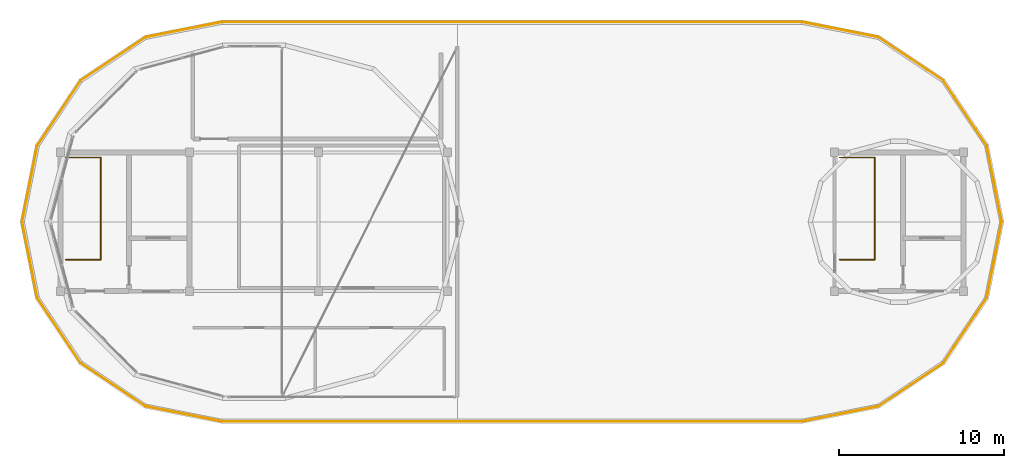
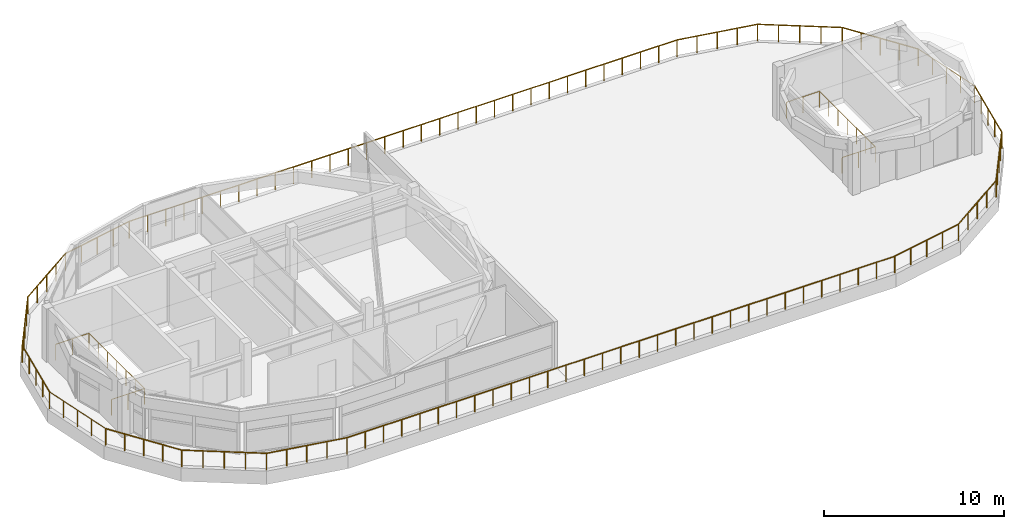
# One storey, part 15 of 15: 20 railings.
"""IFC4 building model written with IfcOpenShell, lengths in metres."""

from ifc_helpers import new_model, si_unit, direction, frame, origin, origin_2d, place, context, subcontext, project, spatial, hollow_rectangle, circle, hollow_circle, extrude, material, material_profile, profile_set, type_object, element, save


model = new_model("IFC4")

# Units and contexts
model_context = context("Model", 3, precision=1e-05, world=origin(), true_north=direction((0.0, 1.0)))
body_context = subcontext(model_context, "Body", "Model", "MODEL_VIEW")
ifc_project = project(units=[si_unit("LENGTHUNIT", "METRE"), si_unit("AREAUNIT", "SQUARE_METRE"), si_unit("VOLUMEUNIT", "CUBIC_METRE"), si_unit("PLANEANGLEUNIT", "RADIAN"), si_unit("MASSUNIT", "GRAM", prefix="KILO")], contexts=[model_context])

# Site, building, storey
site_placement = place(None, origin())
site = spatial("IfcSite", under=ifc_project, at=site_placement, CompositionType="ELEMENT")
building_placement = place(site_placement, origin())
building = spatial("IfcBuilding", under=site, at=building_placement, Name="Zizhar Promenade General Hospital", CompositionType="ELEMENT")
storey_placement = place(building_placement, frame((0.0, 0.0, 43.199951171875)))
storey = spatial("IfcBuildingStorey", under=building, at=storey_placement, Name="Roof", CompositionType="ELEMENT", Elevation=43.199951171875)

# Railings
ifc_material_1 = material(Name="Steel S355", Category="steel")
ifc_material_profile_1 = material_profile(ifc_material_1, hollow_rectangle(XDim=0.06005859375, YDim=0.1201171875, WallThickness=0.00390625, at=origin_2d()))
ifc_profile_set_1 = profile_set([ifc_material_profile_1], Name="Steel S355")
railing_type_1 = type_object("IfcRailingType", Name="RL-GUARD-EXT-1150", PredefinedType="GUARDRAIL", material=ifc_profile_set_1)
railing_1_placement = place(storey_placement, frame((91.639892578125, 0.52001953125, 0.0)))
element("IfcRailing", 1, at=railing_1_placement, inside=storey, type_object=railing_type_1, Name="Perimeter Safety Guardrail Roof-01", PredefinedType="GUARDRAIL", context=body_context, shape_type="SweptSolid", body=[
    extrude(circle(Radius=0.02392578125, at=origin_2d()), frame((0.0, 0.0, 1.1259765625), z_axis=(0.980789300877, 0.19507010864, 0.0), x_axis=(-0.19507010864, 0.980789300877, 0.0)), (0.0, 0.0, 1.0), 4.71337890625),
    extrude(circle(Radius=0.02099609375, at=origin_2d()), origin(), (0.0, 0.0, 1.0), 1.101806640625),
    extrude(circle(Radius=0.02099609375, at=origin_2d()), frame((1.15576171875, 0.22998046875, 0.0)), (0.0, 0.0, 1.0), 1.101806640625),
    extrude(circle(Radius=0.02099609375, at=origin_2d()), frame((2.3115234375, 0.459716796875, 0.0)), (0.0, 0.0, 1.0), 1.101806640625),
    extrude(circle(Radius=0.02099609375, at=origin_2d()), frame((3.467041015625, 0.689453125, 0.0)), (0.0, 0.0, 1.0), 1.101806640625),
    extrude(circle(Radius=0.02099609375, at=origin_2d()), frame((4.622802734375, 0.91943359375, 0.0)), (0.0, 0.0, 1.0), 1.101806640625),
])
railing_2_placement = place(storey_placement, frame((96.2626953125, 1.439453125, 0.0)))
element("IfcRailing", 2, at=railing_2_placement, inside=storey, type_object=railing_type_1, Name="Perimeter Safety Guardrail Roof-02", PredefinedType="GUARDRAIL", context=body_context, shape_type="SweptSolid", body=[
    extrude(circle(Radius=0.02392578125, at=origin_2d()), frame((0.0, 0.0, 1.1259765625), z_axis=(0.831476112462, 0.55556050472, 0.0), x_axis=(-0.55556050472, 0.831476112462, 0.0)), (0.0, 0.0, 1.0), 4.713623046875),
    extrude(circle(Radius=0.02099609375, at=origin_2d()), origin(), (0.0, 0.0, 1.0), 1.101806640625),
    extrude(circle(Radius=0.02099609375, at=origin_2d()), frame((0.979736328125, 0.65478515625, 0.0)), (0.0, 0.0, 1.0), 1.101806640625),
    extrude(circle(Radius=0.02099609375, at=origin_2d()), frame((1.95947265625, 1.309326171875, 0.0)), (0.0, 0.0, 1.0), 1.101806640625),
    extrude(circle(Radius=0.02099609375, at=origin_2d()), frame((2.939453125, 1.9638671875, 0.0)), (0.0, 0.0, 1.0), 1.101806640625),
    extrude(circle(Radius=0.02099609375, at=origin_2d()), frame((3.919189453125, 2.61865234375, 0.0)), (0.0, 0.0, 1.0), 1.101806640625),
])
railing_3_placement = place(storey_placement, frame((100.181884765625, 4.05810546875, 0.0)))
element("IfcRailing", 3, at=railing_3_placement, inside=storey, type_object=railing_type_1, Name="Perimeter Safety Guardrail Roof-03", PredefinedType="GUARDRAIL", context=body_context, shape_type="SweptSolid", body=[
    extrude(circle(Radius=0.02392578125, at=origin_2d()), frame((0.0, 0.0, 1.1259765625), z_axis=(0.55556050472, 0.831476112462, 0.0), x_axis=(-0.831476112462, 0.55556050472, 0.0)), (0.0, 0.0, 1.0), 4.713623046875),
    extrude(circle(Radius=0.02099609375, at=origin_2d()), origin(), (0.0, 0.0, 1.0), 1.101806640625),
    extrude(circle(Radius=0.02099609375, at=origin_2d()), frame((0.65478515625, 0.979736328125, 0.0)), (0.0, 0.0, 1.0), 1.101806640625),
    extrude(circle(Radius=0.02099609375, at=origin_2d()), frame((1.309326171875, 1.95947265625, 0.0)), (0.0, 0.0, 1.0), 1.101806640625),
    extrude(circle(Radius=0.02099609375, at=origin_2d()), frame((1.9638671875, 2.939453125, 0.0)), (0.0, 0.0, 1.0), 1.101806640625),
    extrude(circle(Radius=0.02099609375, at=origin_2d()), frame((2.61865234375, 3.919189453125, 0.0)), (0.0, 0.0, 1.0), 1.101806640625),
])
railing_4_placement = place(storey_placement, frame((102.800537109375, 7.977294921875, 0.0)))
element("IfcRailing", 4, at=railing_4_placement, inside=storey, type_object=railing_type_1, Name="Perimeter Safety Guardrail Roof-04", PredefinedType="GUARDRAIL", context=body_context, shape_type="SweptSolid", body=[
    extrude(circle(Radius=0.02392578125, at=origin_2d()), frame((0.0, 0.0, 1.1259765625), z_axis=(0.19507010864, 0.980789300877, 0.0), x_axis=(-0.980789300877, 0.19507010864, 0.0)), (0.0, 0.0, 1.0), 4.71337890625),
    extrude(circle(Radius=0.02099609375, at=origin_2d()), origin(), (0.0, 0.0, 1.0), 1.101806640625),
    extrude(circle(Radius=0.02099609375, at=origin_2d()), frame((0.22998046875, 1.15576171875, 0.0)), (0.0, 0.0, 1.0), 1.101806640625),
    extrude(circle(Radius=0.02099609375, at=origin_2d()), frame((0.459716796875, 2.3115234375, 0.0)), (0.0, 0.0, 1.0), 1.101806640625),
    extrude(circle(Radius=0.02099609375, at=origin_2d()), frame((0.689453125, 3.467041015625, 0.0)), (0.0, 0.0, 1.0), 1.101806640625),
    extrude(circle(Radius=0.02099609375, at=origin_2d()), frame((0.91943359375, 4.622802734375, 0.0)), (0.0, 0.0, 1.0), 1.101806640625),
])
railing_5_placement = place(storey_placement, frame((103.719970703125, 12.60009765625, 0.0)))
element("IfcRailing", 5, at=railing_5_placement, inside=storey, type_object=railing_type_1, Name="Perimeter Safety Guardrail Roof-05", PredefinedType="GUARDRAIL", context=body_context, shape_type="SweptSolid", body=[
    extrude(circle(Radius=0.02392578125, at=origin_2d()), frame((0.0, 0.0, 1.1259765625), z_axis=(-0.19507010864, 0.980789300877, 0.0), x_axis=(-0.980789300877, -0.19507010864, 0.0)), (0.0, 0.0, 1.0), 4.71337890625),
    extrude(circle(Radius=0.02099609375, at=origin_2d()), origin(), (0.0, 0.0, 1.0), 1.101806640625),
    extrude(circle(Radius=0.02099609375, at=origin_2d()), frame((-0.22998046875, 1.15576171875, 0.0)), (0.0, 0.0, 1.0), 1.101806640625),
    extrude(circle(Radius=0.02099609375, at=origin_2d()), frame((-0.459716796875, 2.3115234375, 0.0)), (0.0, 0.0, 1.0), 1.101806640625),
    extrude(circle(Radius=0.02099609375, at=origin_2d()), frame((-0.689453125, 3.467041015625, 0.0)), (0.0, 0.0, 1.0), 1.101806640625),
    extrude(circle(Radius=0.02099609375, at=origin_2d()), frame((-0.91943359375, 4.622802734375, 0.0)), (0.0, 0.0, 1.0), 1.101806640625),
])
railing_6_placement = place(storey_placement, frame((102.800537109375, 17.222900390625, 0.0)))
element("IfcRailing", 6, at=railing_6_placement, inside=storey, type_object=railing_type_1, Name="Perimeter Safety Guardrail Roof-06", PredefinedType="GUARDRAIL", context=body_context, shape_type="SweptSolid", body=[
    extrude(circle(Radius=0.02392578125, at=origin_2d()), frame((0.0, 0.0, 1.1259765625), z_axis=(-0.555584431775, 0.831460124822, 0.0), x_axis=(-0.831460124822, -0.555584431775, 0.0)), (0.0, 0.0, 1.0), 4.71337890625),
    extrude(circle(Radius=0.02099609375, at=origin_2d()), origin(), (0.0, 0.0, 1.0), 1.101806640625),
    extrude(circle(Radius=0.02099609375, at=origin_2d()), frame((-0.65478515625, 0.979736328125, 0.0)), (0.0, 0.0, 1.0), 1.101806640625),
    extrude(circle(Radius=0.02099609375, at=origin_2d()), frame((-1.309326171875, 1.95947265625, 0.0)), (0.0, 0.0, 1.0), 1.101806640625),
    extrude(circle(Radius=0.02099609375, at=origin_2d()), frame((-1.9638671875, 2.939208984375, 0.0)), (0.0, 0.0, 1.0), 1.101806640625),
    extrude(circle(Radius=0.02099609375, at=origin_2d()), frame((-2.61865234375, 3.9189453125, 0.0)), (0.0, 0.0, 1.0), 1.101806640625),
])
railing_7_placement = place(storey_placement, frame((100.181884765625, 21.141845703125, 0.0)))
element("IfcRailing", 7, at=railing_7_placement, inside=storey, type_object=railing_type_1, Name="Perimeter Safety Guardrail Roof-07", PredefinedType="GUARDRAIL", context=body_context, shape_type="SweptSolid", body=[
    extrude(circle(Radius=0.02392578125, at=origin_2d()), frame((0.0, 0.0, 1.1259765625), z_axis=(-0.831476112462, 0.55556050472, 0.0), x_axis=(-0.55556050472, -0.831476112462, 0.0)), (0.0, 0.0, 1.0), 4.713623046875),
    extrude(circle(Radius=0.02099609375, at=origin_2d()), origin(), (0.0, 0.0, 1.0), 1.101806640625),
    extrude(circle(Radius=0.02099609375, at=origin_2d()), frame((-0.979736328125, 0.65478515625, 0.0)), (0.0, 0.0, 1.0), 1.101806640625),
    extrude(circle(Radius=0.02099609375, at=origin_2d()), frame((-1.95947265625, 1.309326171875, 0.0)), (0.0, 0.0, 1.0), 1.101806640625),
    extrude(circle(Radius=0.02099609375, at=origin_2d()), frame((-2.939453125, 1.9638671875, 0.0)), (0.0, 0.0, 1.0), 1.101806640625),
    extrude(circle(Radius=0.02099609375, at=origin_2d()), frame((-3.919189453125, 2.61865234375, 0.0)), (0.0, 0.0, 1.0), 1.101806640625),
])
railing_8_placement = place(storey_placement, frame((96.2626953125, 23.760498046875, 0.0)))
element("IfcRailing", 8, at=railing_8_placement, inside=storey, type_object=railing_type_1, Name="Perimeter Safety Guardrail Roof-08", PredefinedType="GUARDRAIL", context=body_context, shape_type="SweptSolid", body=[
    extrude(circle(Radius=0.02392578125, at=origin_2d()), frame((0.0, 0.0, 1.1259765625), z_axis=(-0.980789300877, 0.19507010864, 0.0), x_axis=(-0.19507010864, -0.980789300877, 0.0)), (0.0, 0.0, 1.0), 4.71337890625),
    extrude(circle(Radius=0.02099609375, at=origin_2d()), origin(), (0.0, 0.0, 1.0), 1.101806640625),
    extrude(circle(Radius=0.02099609375, at=origin_2d()), frame((-1.15576171875, 0.22998046875, 0.0)), (0.0, 0.0, 1.0), 1.101806640625),
    extrude(circle(Radius=0.02099609375, at=origin_2d()), frame((-2.3115234375, 0.459716796875, 0.0)), (0.0, 0.0, 1.0), 1.101806640625),
    extrude(circle(Radius=0.02099609375, at=origin_2d()), frame((-3.467041015625, 0.689453125, 0.0)), (0.0, 0.0, 1.0), 1.101806640625),
    extrude(circle(Radius=0.02099609375, at=origin_2d()), frame((-4.622802734375, 0.91943359375, 0.0)), (0.0, 0.0, 1.0), 1.101806640625),
])
railing_9_placement = place(storey_placement, frame((91.639892578125, 24.679931640625, 0.0)))
element("IfcRailing", 9, at=railing_9_placement, inside=storey, type_object=railing_type_1, Name="Perimeter Safety Guardrail Roof-09", PredefinedType="GUARDRAIL", context=body_context, shape_type="SweptSolid", body=[
    extrude(circle(Radius=0.02392578125, at=origin_2d()), frame((0.0, 0.0, 1.1259765625), z_axis=(-1.0, 0.0, 0.0), x_axis=(0.0, -1.0, 0.0)), (0.0, 0.0, 1.0), 35.079833984375),
    extrude(circle(Radius=0.02099609375, at=origin_2d()), origin(), (0.0, 0.0, 1.0), 1.101806640625),
    extrude(circle(Radius=0.02099609375, at=origin_2d()), frame((-1.16943359375, 0.0, 0.0)), (0.0, 0.0, 1.0), 1.101806640625),
    extrude(circle(Radius=0.02099609375, at=origin_2d()), frame((-2.338623046875, 0.0, 0.0)), (0.0, 0.0, 1.0), 1.101806640625),
    extrude(circle(Radius=0.02099609375, at=origin_2d()), frame((-3.508056640625, 0.0, 0.0)), (0.0, 0.0, 1.0), 1.101806640625),
    extrude(circle(Radius=0.02099609375, at=origin_2d()), frame((-4.67724609375, 0.0, 0.0)), (0.0, 0.0, 1.0), 1.101806640625),
    extrude(circle(Radius=0.02099609375, at=origin_2d()), frame((-5.8466796875, 0.0, 0.0)), (0.0, 0.0, 1.0), 1.101806640625),
    extrude(circle(Radius=0.02099609375, at=origin_2d()), frame((-7.015869140625, 0.0, 0.0)), (0.0, 0.0, 1.0), 1.101806640625),
    extrude(circle(Radius=0.02099609375, at=origin_2d()), frame((-8.185302734375, 0.0, 0.0)), (0.0, 0.0, 1.0), 1.101806640625),
    extrude(circle(Radius=0.02099609375, at=origin_2d()), frame((-9.354736328125, 0.0, 0.0)), (0.0, 0.0, 1.0), 1.101806640625),
    extrude(circle(Radius=0.02099609375, at=origin_2d()), frame((-10.52392578125, 0.0, 0.0)), (0.0, 0.0, 1.0), 1.101806640625),
    extrude(circle(Radius=0.02099609375, at=origin_2d()), frame((-11.693359375, 0.0, 0.0)), (0.0, 0.0, 1.0), 1.101806640625),
    extrude(circle(Radius=0.02099609375, at=origin_2d()), frame((-12.862548828125, 0.0, 0.0)), (0.0, 0.0, 1.0), 1.101806640625),
    extrude(circle(Radius=0.02099609375, at=origin_2d()), frame((-14.031982421875, 0.0, 0.0)), (0.0, 0.0, 1.0), 1.101806640625),
    extrude(circle(Radius=0.02099609375, at=origin_2d()), frame((-15.201171875, 0.0, 0.0)), (0.0, 0.0, 1.0), 1.101806640625),
    extrude(circle(Radius=0.02099609375, at=origin_2d()), frame((-16.37060546875, 0.0, 0.0)), (0.0, 0.0, 1.0), 1.101806640625),
    extrude(circle(Radius=0.02099609375, at=origin_2d()), frame((-17.5400390625, 0.0, 0.0)), (0.0, 0.0, 1.0), 1.101806640625),
    extrude(circle(Radius=0.02099609375, at=origin_2d()), frame((-18.709228515625, 0.0, 0.0)), (0.0, 0.0, 1.0), 1.101806640625),
    extrude(circle(Radius=0.02099609375, at=origin_2d()), frame((-19.878662109375, 0.0, 0.0)), (0.0, 0.0, 1.0), 1.101806640625),
    extrude(circle(Radius=0.02099609375, at=origin_2d()), frame((-21.0478515625, 0.0, 0.0)), (0.0, 0.0, 1.0), 1.101806640625),
    extrude(circle(Radius=0.02099609375, at=origin_2d()), frame((-22.21728515625, 0.0, 0.0)), (0.0, 0.0, 1.0), 1.101806640625),
    extrude(circle(Radius=0.02099609375, at=origin_2d()), frame((-23.386474609375, 0.0, 0.0)), (0.0, 0.0, 1.0), 1.101806640625),
    extrude(circle(Radius=0.02099609375, at=origin_2d()), frame((-24.555908203125, 0.0, 0.0)), (0.0, 0.0, 1.0), 1.101806640625),
    extrude(circle(Radius=0.02099609375, at=origin_2d()), frame((-25.72509765625, 0.0, 0.0)), (0.0, 0.0, 1.0), 1.101806640625),
    extrude(circle(Radius=0.02099609375, at=origin_2d()), frame((-26.89453125, 0.0, 0.0)), (0.0, 0.0, 1.0), 1.101806640625),
    extrude(circle(Radius=0.02099609375, at=origin_2d()), frame((-28.06396484375, 0.0, 0.0)), (0.0, 0.0, 1.0), 1.101806640625),
    extrude(circle(Radius=0.02099609375, at=origin_2d()), frame((-29.233154296875, 0.0, 0.0)), (0.0, 0.0, 1.0), 1.101806640625),
    extrude(circle(Radius=0.02099609375, at=origin_2d()), frame((-30.402587890625, 0.0, 0.0)), (0.0, 0.0, 1.0), 1.101806640625),
    extrude(circle(Radius=0.02099609375, at=origin_2d()), frame((-31.57177734375, 0.0, 0.0)), (0.0, 0.0, 1.0), 1.101806640625),
    extrude(circle(Radius=0.02099609375, at=origin_2d()), frame((-32.7412109375, 0.0, 0.0)), (0.0, 0.0, 1.0), 1.101806640625),
    extrude(circle(Radius=0.02099609375, at=origin_2d()), frame((-33.910400390625, 0.0, 0.0)), (0.0, 0.0, 1.0), 1.101806640625),
    extrude(circle(Radius=0.02099609375, at=origin_2d()), frame((-35.079833984375, 0.0, 0.0)), (0.0, 0.0, 1.0), 1.101806640625),
])
railing_10_placement = place(storey_placement, frame((56.56005859375, 24.679931640625, 0.0)))
element("IfcRailing", 10, at=railing_10_placement, inside=storey, type_object=railing_type_1, Name="Perimeter Safety Guardrail Roof-10", PredefinedType="GUARDRAIL", context=body_context, shape_type="SweptSolid", body=[
    extrude(circle(Radius=0.02392578125, at=origin_2d()), frame((0.0, 0.0, 1.1259765625), z_axis=(-0.980789300877, -0.19507010864, 0.0), x_axis=(0.19507010864, -0.980789300877, 0.0)), (0.0, 0.0, 1.0), 4.71337890625),
    extrude(circle(Radius=0.02099609375, at=origin_2d()), origin(), (0.0, 0.0, 1.0), 1.101806640625),
    extrude(circle(Radius=0.02099609375, at=origin_2d()), frame((-1.15576171875, -0.22998046875, 0.0)), (0.0, 0.0, 1.0), 1.101806640625),
    extrude(circle(Radius=0.02099609375, at=origin_2d()), frame((-2.3115234375, -0.459716796875, 0.0)), (0.0, 0.0, 1.0), 1.101806640625),
    extrude(circle(Radius=0.02099609375, at=origin_2d()), frame((-3.467041015625, -0.689453125, 0.0)), (0.0, 0.0, 1.0), 1.101806640625),
    extrude(circle(Radius=0.02099609375, at=origin_2d()), frame((-4.622802734375, -0.91943359375, 0.0)), (0.0, 0.0, 1.0), 1.101806640625),
])
railing_11_placement = place(storey_placement, frame((51.937255859375, 23.760498046875, 0.0)))
element("IfcRailing", 11, at=railing_11_placement, inside=storey, type_object=railing_type_1, Name="Perimeter Safety Guardrail Roof-11", PredefinedType="GUARDRAIL", context=body_context, shape_type="SweptSolid", body=[
    extrude(circle(Radius=0.02392578125, at=origin_2d()), frame((0.0, 0.0, 1.1259765625), z_axis=(-0.831460124822, -0.555584431775, 0.0), x_axis=(0.555584431775, -0.831460124822, 0.0)), (0.0, 0.0, 1.0), 4.71337890625),
    extrude(circle(Radius=0.02099609375, at=origin_2d()), origin(), (0.0, 0.0, 1.0), 1.101806640625),
    extrude(circle(Radius=0.02099609375, at=origin_2d()), frame((-0.979736328125, -0.65478515625, 0.0)), (0.0, 0.0, 1.0), 1.101806640625),
    extrude(circle(Radius=0.02099609375, at=origin_2d()), frame((-1.95947265625, -1.309326171875, 0.0)), (0.0, 0.0, 1.0), 1.101806640625),
    extrude(circle(Radius=0.02099609375, at=origin_2d()), frame((-2.939208984375, -1.9638671875, 0.0)), (0.0, 0.0, 1.0), 1.101806640625),
    extrude(circle(Radius=0.02099609375, at=origin_2d()), frame((-3.9189453125, -2.61865234375, 0.0)), (0.0, 0.0, 1.0), 1.101806640625),
])
railing_12_placement = place(storey_placement, frame((48.018310546875, 21.141845703125, 0.0)))
element("IfcRailing", 12, at=railing_12_placement, inside=storey, type_object=railing_type_1, Name="Perimeter Safety Guardrail Roof-12", PredefinedType="GUARDRAIL", context=body_context, shape_type="SweptSolid", body=[
    extrude(circle(Radius=0.02392578125, at=origin_2d()), frame((0.0, 0.0, 1.1259765625), z_axis=(-0.555620239471, -0.831436196885, 0.0), x_axis=(0.831436196885, -0.555620239471, 0.0)), (0.0, 0.0, 1.0), 4.71337890625),
    extrude(circle(Radius=0.02099609375, at=origin_2d()), origin(), (0.0, 0.0, 1.0), 1.101806640625),
    extrude(circle(Radius=0.02099609375, at=origin_2d()), frame((-0.65478515625, -0.979736328125, 0.0)), (0.0, 0.0, 1.0), 1.101806640625),
    extrude(circle(Radius=0.02099609375, at=origin_2d()), frame((-1.3095703125, -1.95947265625, 0.0)), (0.0, 0.0, 1.0), 1.101806640625),
    extrude(circle(Radius=0.02099609375, at=origin_2d()), frame((-1.964111328125, -2.939208984375, 0.0)), (0.0, 0.0, 1.0), 1.101806640625),
    extrude(circle(Radius=0.02099609375, at=origin_2d()), frame((-2.618896484375, -3.9189453125, 0.0)), (0.0, 0.0, 1.0), 1.101806640625),
])
railing_13_placement = place(storey_placement, frame((45.3994140625, 17.222900390625, 0.0)))
element("IfcRailing", 13, at=railing_13_placement, inside=storey, type_object=railing_type_1, Name="Perimeter Safety Guardrail Roof-13", PredefinedType="GUARDRAIL", context=body_context, shape_type="SweptSolid", body=[
    extrude(circle(Radius=0.02392578125, at=origin_2d()), frame((0.0, 0.0, 1.1259765625), z_axis=(-0.19507010864, -0.980789300877, 0.0), x_axis=(0.980789300877, -0.19507010864, 0.0)), (0.0, 0.0, 1.0), 4.71337890625),
    extrude(circle(Radius=0.02099609375, at=origin_2d()), origin(), (0.0, 0.0, 1.0), 1.101806640625),
    extrude(circle(Radius=0.02099609375, at=origin_2d()), frame((-0.22998046875, -1.15576171875, 0.0)), (0.0, 0.0, 1.0), 1.101806640625),
    extrude(circle(Radius=0.02099609375, at=origin_2d()), frame((-0.459716796875, -2.3115234375, 0.0)), (0.0, 0.0, 1.0), 1.101806640625),
    extrude(circle(Radius=0.02099609375, at=origin_2d()), frame((-0.689453125, -3.467041015625, 0.0)), (0.0, 0.0, 1.0), 1.101806640625),
    extrude(circle(Radius=0.02099609375, at=origin_2d()), frame((-0.91943359375, -4.622802734375, 0.0)), (0.0, 0.0, 1.0), 1.101806640625),
])
railing_14_placement = place(storey_placement, frame((44.47998046875, 12.60009765625, 0.0)))
element("IfcRailing", 14, at=railing_14_placement, inside=storey, type_object=railing_type_1, Name="Perimeter Safety Guardrail Roof-14", PredefinedType="GUARDRAIL", context=body_context, shape_type="SweptSolid", body=[
    extrude(circle(Radius=0.02392578125, at=origin_2d()), frame((0.0, 0.0, 1.1259765625), z_axis=(0.19507010864, -0.980789300877, 0.0), x_axis=(0.980789300877, 0.19507010864, 0.0)), (0.0, 0.0, 1.0), 4.71337890625),
    extrude(circle(Radius=0.02099609375, at=origin_2d()), origin(), (0.0, 0.0, 1.0), 1.101806640625),
    extrude(circle(Radius=0.02099609375, at=origin_2d()), frame((0.22998046875, -1.15576171875, 0.0)), (0.0, 0.0, 1.0), 1.101806640625),
    extrude(circle(Radius=0.02099609375, at=origin_2d()), frame((0.459716796875, -2.3115234375, 0.0)), (0.0, 0.0, 1.0), 1.101806640625),
    extrude(circle(Radius=0.02099609375, at=origin_2d()), frame((0.689453125, -3.467041015625, 0.0)), (0.0, 0.0, 1.0), 1.101806640625),
    extrude(circle(Radius=0.02099609375, at=origin_2d()), frame((0.91943359375, -4.622802734375, 0.0)), (0.0, 0.0, 1.0), 1.101806640625),
])
railing_15_placement = place(storey_placement, frame((45.3994140625, 7.977294921875, 0.0)))
element("IfcRailing", 15, at=railing_15_placement, inside=storey, type_object=railing_type_1, Name="Perimeter Safety Guardrail Roof-15", PredefinedType="GUARDRAIL", context=body_context, shape_type="SweptSolid", body=[
    extrude(circle(Radius=0.02392578125, at=origin_2d()), frame((0.0, 0.0, 1.1259765625), z_axis=(0.555596312251, -0.831452186126, 0.0), x_axis=(0.831452186126, 0.555596312251, 0.0)), (0.0, 0.0, 1.0), 4.713623046875),
    extrude(circle(Radius=0.02099609375, at=origin_2d()), origin(), (0.0, 0.0, 1.0), 1.101806640625),
    extrude(circle(Radius=0.02099609375, at=origin_2d()), frame((0.65478515625, -0.979736328125, 0.0)), (0.0, 0.0, 1.0), 1.101806640625),
    extrude(circle(Radius=0.02099609375, at=origin_2d()), frame((1.3095703125, -1.95947265625, 0.0)), (0.0, 0.0, 1.0), 1.101806640625),
    extrude(circle(Radius=0.02099609375, at=origin_2d()), frame((1.964111328125, -2.939453125, 0.0)), (0.0, 0.0, 1.0), 1.101806640625),
    extrude(circle(Radius=0.02099609375, at=origin_2d()), frame((2.618896484375, -3.919189453125, 0.0)), (0.0, 0.0, 1.0), 1.101806640625),
])
railing_16_placement = place(storey_placement, frame((48.018310546875, 4.05810546875, 0.0)))
element("IfcRailing", 16, at=railing_16_placement, inside=storey, type_object=railing_type_1, Name="Perimeter Safety Guardrail Roof-16", PredefinedType="GUARDRAIL", context=body_context, shape_type="SweptSolid", body=[
    extrude(circle(Radius=0.02392578125, at=origin_2d()), frame((0.0, 0.0, 1.1259765625), z_axis=(0.831460124822, -0.555584431775, 0.0), x_axis=(0.555584431775, 0.831460124822, 0.0)), (0.0, 0.0, 1.0), 4.71337890625),
    extrude(circle(Radius=0.02099609375, at=origin_2d()), origin(), (0.0, 0.0, 1.0), 1.101806640625),
    extrude(circle(Radius=0.02099609375, at=origin_2d()), frame((0.979736328125, -0.65478515625, 0.0)), (0.0, 0.0, 1.0), 1.101806640625),
    extrude(circle(Radius=0.02099609375, at=origin_2d()), frame((1.95947265625, -1.309326171875, 0.0)), (0.0, 0.0, 1.0), 1.101806640625),
    extrude(circle(Radius=0.02099609375, at=origin_2d()), frame((2.939208984375, -1.9638671875, 0.0)), (0.0, 0.0, 1.0), 1.101806640625),
    extrude(circle(Radius=0.02099609375, at=origin_2d()), frame((3.9189453125, -2.61865234375, 0.0)), (0.0, 0.0, 1.0), 1.101806640625),
])
railing_17_placement = place(storey_placement, frame((51.937255859375, 1.439453125, 0.0)))
element("IfcRailing", 17, at=railing_17_placement, inside=storey, type_object=railing_type_1, Name="Perimeter Safety Guardrail Roof-17", PredefinedType="GUARDRAIL", context=body_context, shape_type="SweptSolid", body=[
    extrude(circle(Radius=0.02392578125, at=origin_2d()), frame((0.0, 0.0, 1.1259765625), z_axis=(0.980789300877, -0.19507010864, 0.0), x_axis=(0.19507010864, 0.980789300877, 0.0)), (0.0, 0.0, 1.0), 4.71337890625),
    extrude(circle(Radius=0.02099609375, at=origin_2d()), origin(), (0.0, 0.0, 1.0), 1.101806640625),
    extrude(circle(Radius=0.02099609375, at=origin_2d()), frame((1.15576171875, -0.22998046875, 0.0)), (0.0, 0.0, 1.0), 1.101806640625),
    extrude(circle(Radius=0.02099609375, at=origin_2d()), frame((2.3115234375, -0.459716796875, 0.0)), (0.0, 0.0, 1.0), 1.101806640625),
    extrude(circle(Radius=0.02099609375, at=origin_2d()), frame((3.467041015625, -0.689453125, 0.0)), (0.0, 0.0, 1.0), 1.101806640625),
    extrude(circle(Radius=0.02099609375, at=origin_2d()), frame((4.622802734375, -0.91943359375, 0.0)), (0.0, 0.0, 1.0), 1.101806640625),
])
railing_18_placement = place(storey_placement, frame((56.56005859375, 0.52001953125, 0.0)))
element("IfcRailing", 18, at=railing_18_placement, inside=storey, type_object=railing_type_1, Name="Perimeter Safety Guardrail Roof-18", PredefinedType="GUARDRAIL", context=body_context, shape_type="SweptSolid", body=[
    extrude(circle(Radius=0.02392578125, at=origin_2d()), frame((0.0, 0.0, 1.1259765625), z_axis=(1.0, 0.0, 0.0), x_axis=(0.0, 1.0, 0.0)), (0.0, 0.0, 1.0), 35.079833984375),
    extrude(circle(Radius=0.02099609375, at=origin_2d()), origin(), (0.0, 0.0, 1.0), 1.101806640625),
    extrude(circle(Radius=0.02099609375, at=origin_2d()), frame((1.16943359375, 0.0, 0.0)), (0.0, 0.0, 1.0), 1.101806640625),
    extrude(circle(Radius=0.02099609375, at=origin_2d()), frame((2.338623046875, 0.0, 0.0)), (0.0, 0.0, 1.0), 1.101806640625),
    extrude(circle(Radius=0.02099609375, at=origin_2d()), frame((3.508056640625, 0.0, 0.0)), (0.0, 0.0, 1.0), 1.101806640625),
    extrude(circle(Radius=0.02099609375, at=origin_2d()), frame((4.67724609375, 0.0, 0.0)), (0.0, 0.0, 1.0), 1.101806640625),
    extrude(circle(Radius=0.02099609375, at=origin_2d()), frame((5.8466796875, 0.0, 0.0)), (0.0, 0.0, 1.0), 1.101806640625),
    extrude(circle(Radius=0.02099609375, at=origin_2d()), frame((7.015869140625, 0.0, 0.0)), (0.0, 0.0, 1.0), 1.101806640625),
    extrude(circle(Radius=0.02099609375, at=origin_2d()), frame((8.185302734375, 0.0, 0.0)), (0.0, 0.0, 1.0), 1.101806640625),
    extrude(circle(Radius=0.02099609375, at=origin_2d()), frame((9.354736328125, 0.0, 0.0)), (0.0, 0.0, 1.0), 1.101806640625),
    extrude(circle(Radius=0.02099609375, at=origin_2d()), frame((10.52392578125, 0.0, 0.0)), (0.0, 0.0, 1.0), 1.101806640625),
    extrude(circle(Radius=0.02099609375, at=origin_2d()), frame((11.693359375, 0.0, 0.0)), (0.0, 0.0, 1.0), 1.101806640625),
    extrude(circle(Radius=0.02099609375, at=origin_2d()), frame((12.862548828125, 0.0, 0.0)), (0.0, 0.0, 1.0), 1.101806640625),
    extrude(circle(Radius=0.02099609375, at=origin_2d()), frame((14.031982421875, 0.0, 0.0)), (0.0, 0.0, 1.0), 1.101806640625),
    extrude(circle(Radius=0.02099609375, at=origin_2d()), frame((15.201171875, 0.0, 0.0)), (0.0, 0.0, 1.0), 1.101806640625),
    extrude(circle(Radius=0.02099609375, at=origin_2d()), frame((16.37060546875, 0.0, 0.0)), (0.0, 0.0, 1.0), 1.101806640625),
    extrude(circle(Radius=0.02099609375, at=origin_2d()), frame((17.5400390625, 0.0, 0.0)), (0.0, 0.0, 1.0), 1.101806640625),
    extrude(circle(Radius=0.02099609375, at=origin_2d()), frame((18.709228515625, 0.0, 0.0)), (0.0, 0.0, 1.0), 1.101806640625),
    extrude(circle(Radius=0.02099609375, at=origin_2d()), frame((19.878662109375, 0.0, 0.0)), (0.0, 0.0, 1.0), 1.101806640625),
    extrude(circle(Radius=0.02099609375, at=origin_2d()), frame((21.0478515625, 0.0, 0.0)), (0.0, 0.0, 1.0), 1.101806640625),
    extrude(circle(Radius=0.02099609375, at=origin_2d()), frame((22.21728515625, 0.0, 0.0)), (0.0, 0.0, 1.0), 1.101806640625),
    extrude(circle(Radius=0.02099609375, at=origin_2d()), frame((23.386474609375, 0.0, 0.0)), (0.0, 0.0, 1.0), 1.101806640625),
    extrude(circle(Radius=0.02099609375, at=origin_2d()), frame((24.555908203125, 0.0, 0.0)), (0.0, 0.0, 1.0), 1.101806640625),
    extrude(circle(Radius=0.02099609375, at=origin_2d()), frame((25.72509765625, 0.0, 0.0)), (0.0, 0.0, 1.0), 1.101806640625),
    extrude(circle(Radius=0.02099609375, at=origin_2d()), frame((26.89453125, 0.0, 0.0)), (0.0, 0.0, 1.0), 1.101806640625),
    extrude(circle(Radius=0.02099609375, at=origin_2d()), frame((28.06396484375, 0.0, 0.0)), (0.0, 0.0, 1.0), 1.101806640625),
    extrude(circle(Radius=0.02099609375, at=origin_2d()), frame((29.233154296875, 0.0, 0.0)), (0.0, 0.0, 1.0), 1.101806640625),
    extrude(circle(Radius=0.02099609375, at=origin_2d()), frame((30.402587890625, 0.0, 0.0)), (0.0, 0.0, 1.0), 1.101806640625),
    extrude(circle(Radius=0.02099609375, at=origin_2d()), frame((31.57177734375, 0.0, 0.0)), (0.0, 0.0, 1.0), 1.101806640625),
    extrude(circle(Radius=0.02099609375, at=origin_2d()), frame((32.7412109375, 0.0, 0.0)), (0.0, 0.0, 1.0), 1.101806640625),
    extrude(circle(Radius=0.02099609375, at=origin_2d()), frame((33.910400390625, 0.0, 0.0)), (0.0, 0.0, 1.0), 1.101806640625),
    extrude(circle(Radius=0.02099609375, at=origin_2d()), frame((35.079833984375, 0.0, 0.0)), (0.0, 0.0, 1.0), 1.101806640625),
])
ifc_material_2 = material(Name="Steel S355", Category="steel")
ifc_material_profile_2 = material_profile(ifc_material_2, hollow_circle(Radius=0.06982421875, WallThickness=0.00634765625, at=origin_2d()))
ifc_profile_set_2 = profile_set([ifc_material_profile_2], Name="Steel S355")
railing_type_2 = type_object("IfcRailingType", Name="RL-STAIR-GUARD-1100", PredefinedType="GUARDRAIL", material=ifc_profile_set_2)
railing_19_placement = place(storey_placement, frame((47.1201171875, 10.31005859375, 0.0)))
element("IfcRailing", 19, at=railing_19_placement, inside=storey, type_object=railing_type_2, Name="Stair ST-02 Top Well Guard (Roof)", PredefinedType="GUARDRAIL", context=body_context, shape_type="SweptSolid", body=[
    extrude(circle(Radius=0.02392578125, at=origin_2d()), frame((0.0, 0.0, 1.076171875), z_axis=(1.0, 0.0, 0.0), x_axis=(0.0, 1.0, 0.0)), (0.0, 0.0, 1.0), 2.119873046875),
    extrude(circle(Radius=0.02392578125, at=origin_2d()), frame((2.119873046875, 0.0, 1.076171875), z_axis=(0.0, 1.0, 0.0), x_axis=(-1.0, 0.0, 0.0)), (0.0, 0.0, 1.0), 6.169921875),
    extrude(circle(Radius=0.02392578125, at=origin_2d()), frame((2.119873046875, 6.169921875, 1.076171875), z_axis=(-1.0, 0.0, 0.0), x_axis=(0.0, -1.0, 0.0)), (0.0, 0.0, 1.0), 2.119873046875),
    extrude(circle(Radius=0.02099609375, at=origin_2d()), origin(), (0.0, 0.0, 1.0), 1.052001953125),
    extrude(circle(Radius=0.02099609375, at=origin_2d()), frame((1.06005859375, 0.0, 0.0)), (0.0, 0.0, 1.0), 1.052001953125),
    extrude(circle(Radius=0.02099609375, at=origin_2d()), frame((2.119873046875, 0.0, 0.0)), (0.0, 0.0, 1.0), 1.052001953125),
    extrude(circle(Radius=0.02099609375, at=origin_2d()), frame((2.119873046875, 1.0283203125, 0.0)), (0.0, 0.0, 1.0), 1.052001953125),
    extrude(circle(Radius=0.02099609375, at=origin_2d()), frame((2.119873046875, 2.056640625, 0.0)), (0.0, 0.0, 1.0), 1.052001953125),
    extrude(circle(Radius=0.02099609375, at=origin_2d()), frame((2.119873046875, 3.0849609375, 0.0)), (0.0, 0.0, 1.0), 1.052001953125),
    extrude(circle(Radius=0.02099609375, at=origin_2d()), frame((2.119873046875, 4.11328125, 0.0)), (0.0, 0.0, 1.0), 1.052001953125),
    extrude(circle(Radius=0.02099609375, at=origin_2d()), frame((2.119873046875, 5.1416015625, 0.0)), (0.0, 0.0, 1.0), 1.052001953125),
    extrude(circle(Radius=0.02099609375, at=origin_2d()), frame((2.119873046875, 6.169921875, 0.0)), (0.0, 0.0, 1.0), 1.052001953125),
    extrude(circle(Radius=0.02099609375, at=origin_2d()), frame((1.06005859375, 6.169921875, 0.0)), (0.0, 0.0, 1.0), 1.052001953125),
    extrude(circle(Radius=0.02099609375, at=origin_2d()), frame((0.0, 6.169921875, 0.0)), (0.0, 0.0, 1.0), 1.052001953125),
])
railing_20_placement = place(storey_placement, frame((93.919921875, 10.31005859375, 0.0)))
element("IfcRailing", 20, at=railing_20_placement, inside=storey, type_object=railing_type_2, Name="Stair ST-05 Top Well Guard (Roof)", PredefinedType="GUARDRAIL", context=body_context, shape_type="SweptSolid", body=[
    extrude(circle(Radius=0.02392578125, at=origin_2d()), frame((0.0, 0.0, 1.076171875), z_axis=(1.0, 0.0, 0.0), x_axis=(0.0, 1.0, 0.0)), (0.0, 0.0, 1.0), 2.1201171875),
    extrude(circle(Radius=0.02392578125, at=origin_2d()), frame((2.1201171875, 0.0, 1.076171875), z_axis=(0.0, 1.0, 0.0), x_axis=(-1.0, 0.0, 0.0)), (0.0, 0.0, 1.0), 6.169921875),
    extrude(circle(Radius=0.02392578125, at=origin_2d()), frame((2.1201171875, 6.169921875, 1.076171875), z_axis=(-1.0, 0.0, 0.0), x_axis=(0.0, -1.0, 0.0)), (0.0, 0.0, 1.0), 2.1201171875),
    extrude(circle(Radius=0.02099609375, at=origin_2d()), origin(), (0.0, 0.0, 1.0), 1.052001953125),
    extrude(circle(Radius=0.02099609375, at=origin_2d()), frame((1.06005859375, 0.0, 0.0)), (0.0, 0.0, 1.0), 1.052001953125),
    extrude(circle(Radius=0.02099609375, at=origin_2d()), frame((2.1201171875, 0.0, 0.0)), (0.0, 0.0, 1.0), 1.052001953125),
    extrude(circle(Radius=0.02099609375, at=origin_2d()), frame((2.1201171875, 1.0283203125, 0.0)), (0.0, 0.0, 1.0), 1.052001953125),
    extrude(circle(Radius=0.02099609375, at=origin_2d()), frame((2.1201171875, 2.056640625, 0.0)), (0.0, 0.0, 1.0), 1.052001953125),
    extrude(circle(Radius=0.02099609375, at=origin_2d()), frame((2.1201171875, 3.0849609375, 0.0)), (0.0, 0.0, 1.0), 1.052001953125),
    extrude(circle(Radius=0.02099609375, at=origin_2d()), frame((2.1201171875, 4.11328125, 0.0)), (0.0, 0.0, 1.0), 1.052001953125),
    extrude(circle(Radius=0.02099609375, at=origin_2d()), frame((2.1201171875, 5.1416015625, 0.0)), (0.0, 0.0, 1.0), 1.052001953125),
    extrude(circle(Radius=0.02099609375, at=origin_2d()), frame((2.1201171875, 6.169921875, 0.0)), (0.0, 0.0, 1.0), 1.052001953125),
    extrude(circle(Radius=0.02099609375, at=origin_2d()), frame((1.06005859375, 6.169921875, 0.0)), (0.0, 0.0, 1.0), 1.052001953125),
    extrude(circle(Radius=0.02099609375, at=origin_2d()), frame((0.0, 6.169921875, 0.0)), (0.0, 0.0, 1.0), 1.052001953125),
])

save(model, "model.ifc")
